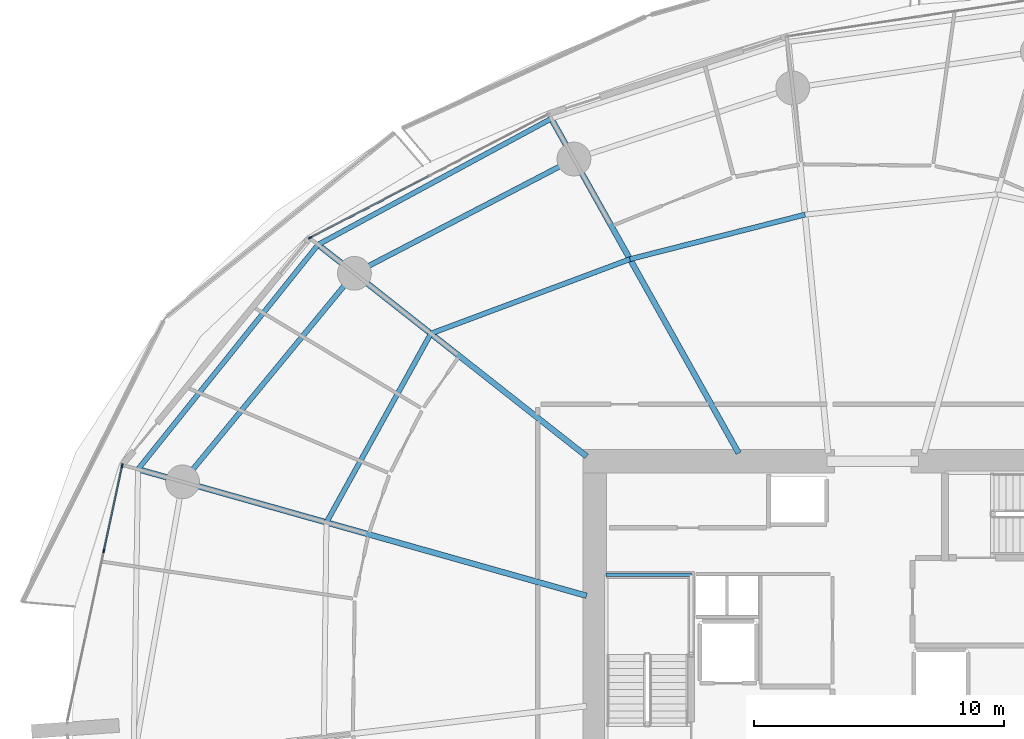
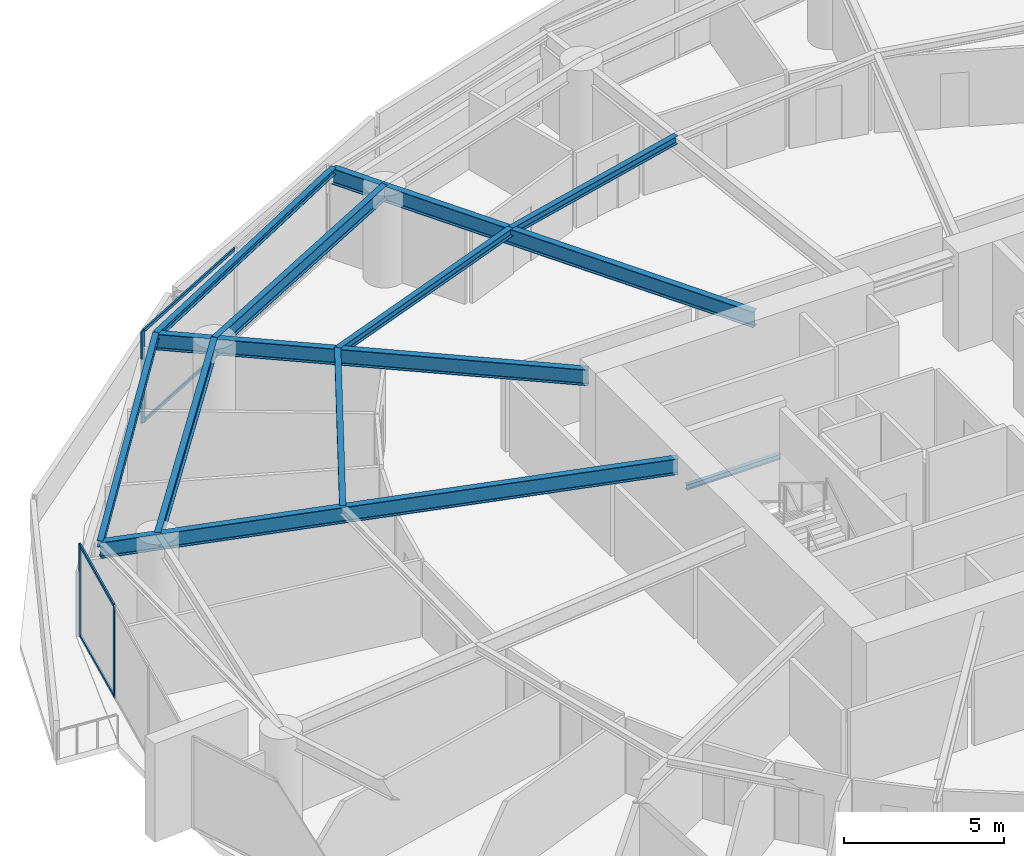
# One storey, part 12 of 31: 11 beams, 7 members, 2 elements without a shape of their own.
"""IFC4 building model written with IfcOpenShell, lengths in metres."""

from ifc_helpers import new_model, si_unit, direction, frame, origin, origin_2d, place, context, subcontext, project, spatial, rectangle, i_section, extrude, material, layer, layer_set, material_profile, profile_set, type_object, element, aggregate, save


model = new_model("IFC4")

# Units and contexts
model_context = context("Model", 3, precision=1e-05, world=origin(), true_north=direction((0.0, 1.0)))
body_context = subcontext(model_context, "Body", "Model", "MODEL_VIEW")
ifc_project = project(units=[si_unit("LENGTHUNIT", "METRE"), si_unit("AREAUNIT", "SQUARE_METRE"), si_unit("VOLUMEUNIT", "CUBIC_METRE"), si_unit("PLANEANGLEUNIT", "RADIAN"), si_unit("MASSUNIT", "GRAM", prefix="KILO")], contexts=[model_context])

# Site, building, storey
site_placement = place(None, origin())
site = spatial("IfcSite", under=ifc_project, at=site_placement, CompositionType="ELEMENT")
building_placement = place(site_placement, origin())
building = spatial("IfcBuilding", under=site, at=building_placement, Name="Kazma Halo Residences", CompositionType="ELEMENT")
storey_placement = place(building_placement, frame((0.0, 0.0, 33.89990234375)))
storey = spatial("IfcBuildingStorey", under=building, at=storey_placement, Name="L07", CompositionType="ELEMENT", Elevation=33.89990234375)

# Beams
ifc_material_1 = material(Name="Steel S355", Category="steel")
ifc_material_profile_1 = material_profile(ifc_material_1, i_section(OverallWidth=0.201904296875, OverallDepth=0.2470703125, WebThickness=0.00732421875, FlangeThickness=0.010986328125, FilletRadius=0.011962890625, at=origin_2d()), Name="W250x49.1")
ifc_profile_set_1 = profile_set([ifc_material_profile_1], Name="Steel S355")
beam_type_1 = type_object("IfcBeamType", Name="BM-BAL-CANT", PredefinedType="BEAM", material=ifc_profile_set_1)
beam_1_placement = place(storey_placement, frame((35.587646484375, 64.163818359375, 3.376708984375), z_axis=(-0.879759421466, -0.47541914175, 0.0), x_axis=(0.47541914175, -0.879759421466, 0.0)))
element("IfcBeam", 1, at=beam_1_placement, inside=storey, type_object=beam_type_1, Name="L07 wave-balcony tie beam 05", PredefinedType="BEAM", context=body_context, shape_type="SweptSolid", body=[
    extrude(i_section(OverallWidth=0.201904296875, OverallDepth=0.2470703125, WebThickness=0.00732421875, FlangeThickness=0.010986328125, FilletRadius=0.011962890625, at=origin_2d()), origin(), (0.0, 0.0, 1.0), 10.58935546875),
])
beam_2_placement = place(storey_placement, frame((26.271484375, 59.12939453125, 3.376708984375), z_axis=(-0.625476617708, -0.780242911343, 0.0), x_axis=(0.780242911343, -0.625476617708, 0.0)))
element("IfcBeam", 2, at=beam_2_placement, inside=storey, type_object=beam_type_1, Name="L07 wave-balcony tie beam 06", PredefinedType="BEAM", context=body_context, shape_type="SweptSolid", body=[
    extrude(i_section(OverallWidth=0.201904296875, OverallDepth=0.2470703125, WebThickness=0.00732421875, FlangeThickness=0.010986328125, FilletRadius=0.011962890625, at=origin_2d()), origin(), (0.0, 0.0, 1.0), 11.499755859375),
])
ifc_material_profile_2 = material_profile(ifc_material_1, i_section(OverallWidth=0.22802734375, OverallDepth=0.60791015625, WebThickness=0.01123046875, FlangeThickness=0.017333984375, FilletRadius=0.01806640625, at=origin_2d()), Name="W610x113")
ifc_profile_set_2 = profile_set([ifc_material_profile_2], Name="Steel S355")
beam_type_2 = type_object("IfcBeamType", Name="BM-RAD-W610", PredefinedType="BEAM", material=ifc_profile_set_2)
beam_3_placement = place(storey_placement, frame((43.07177734375, 50.800048828125, 3.196044921875), z_axis=(-0.488624239587, 0.872494328055, 0.0), x_axis=(-0.872494328055, -0.488624239587, 0.0)))
element("IfcBeam", 3, at=beam_3_placement, inside=storey, type_object=beam_type_2, Name="L07 radial floor beam 05", PredefinedType="BEAM", context=body_context, shape_type="SweptSolid", body=[
    extrude(i_section(OverallWidth=0.22802734375, OverallDepth=0.60791015625, WebThickness=0.01123046875, FlangeThickness=0.017333984375, FilletRadius=0.01806640625, at=origin_2d()), origin(), (0.0, 0.0, 1.0), 15.316650390625),
])
beam_4_placement = place(storey_placement, frame((37.0, 50.671630859375, 3.196044921875), z_axis=(-0.78531394447, 0.619097737536, 0.0), x_axis=(-0.619097737536, -0.78531394447, 0.0)))
element("IfcBeam", 4, at=beam_4_placement, inside=storey, type_object=beam_type_2, Name="L07 radial floor beam 06", PredefinedType="BEAM", context=body_context, shape_type="SweptSolid", body=[
    extrude(i_section(OverallWidth=0.22802734375, OverallDepth=0.60791015625, WebThickness=0.01123046875, FlangeThickness=0.017333984375, FilletRadius=0.01806640625, at=origin_2d()), origin(), (0.0, 0.0, 1.0), 13.661376953125),
])
beam_5_placement = place(storey_placement, frame((37.0, 45.102294921875, 3.196044921875), z_axis=(-0.962453979784, 0.271444905641, 0.0), x_axis=(-0.271444905641, -0.962453979784, 0.0)))
element("IfcBeam", 5, at=beam_5_placement, inside=storey, type_object=beam_type_2, Name="L07 radial floor beam 07", PredefinedType="BEAM", context=body_context, shape_type="SweptSolid", body=[
    extrude(i_section(OverallWidth=0.22802734375, OverallDepth=0.60791015625, WebThickness=0.01123046875, FlangeThickness=0.017333984375, FilletRadius=0.01806640625, at=origin_2d()), origin(), (0.0, 0.0, 1.0), 18.62060546875),
])
ifc_material_profile_3 = material_profile(ifc_material_1, i_section(OverallWidth=0.202880859375, OverallDepth=0.302978515625, WebThickness=0.007568359375, FlangeThickness=0.01318359375, FilletRadius=0.013916015625, at=origin_2d()), Name="W310x60")
ifc_profile_set_3 = profile_set([ifc_material_profile_3], Name="Steel S355")
beam_type_3 = type_object("IfcBeamType", Name="BM-SEC-W310A", PredefinedType="JOIST", material=ifc_profile_set_3)
beam_6_placement = place(storey_placement, frame((45.7236328125, 60.329833984375, 3.3486328125), z_axis=(-0.969127021388, -0.246561993047, 0.0), x_axis=(0.246561993047, -0.969127021388, 0.0)))
element("IfcBeam", 6, at=beam_6_placement, inside=storey, type_object=beam_type_3, Name="L07 circumferential floor joist 04", PredefinedType="JOIST", context=body_context, shape_type="SweptSolid", body=[
    extrude(i_section(OverallWidth=0.202880859375, OverallDepth=0.302978515625, WebThickness=0.007568359375, FlangeThickness=0.01318359375, FilletRadius=0.013916015625, at=origin_2d()), origin(), (0.0, 0.0, 1.0), 7.21533203125),
])
beam_7_placement = place(storey_placement, frame((38.73095703125, 58.55078125, 3.3486328125), z_axis=(-0.936676104069, -0.350196910417, 0.0), x_axis=(0.350196910417, -0.936676104069, 0.0)))
element("IfcBeam", 7, at=beam_7_placement, inside=storey, type_object=beam_type_3, Name="L07 circumferential floor joist 05", PredefinedType="JOIST", context=body_context, shape_type="SweptSolid", body=[
    extrude(i_section(OverallWidth=0.202880859375, OverallDepth=0.302978515625, WebThickness=0.007568359375, FlangeThickness=0.01318359375, FilletRadius=0.013916015625, at=origin_2d()), origin(), (0.0, 0.0, 1.0), 8.4912109375),
])
beam_8_placement = place(storey_placement, frame((30.77734375, 55.5771484375, 3.3486328125), z_axis=(-0.483953872195, -0.875093509054, 0.0), x_axis=(0.875093509054, -0.483953872195, 0.0)))
element("IfcBeam", 8, at=beam_8_placement, inside=storey, type_object=beam_type_3, Name="L07 circumferential floor joist 06", PredefinedType="JOIST", context=body_context, shape_type="SweptSolid", body=[
    extrude(i_section(OverallWidth=0.202880859375, OverallDepth=0.302978515625, WebThickness=0.007568359375, FlangeThickness=0.01318359375, FilletRadius=0.013916015625, at=origin_2d()), origin(), (0.0, 0.0, 1.0), 8.619873046875),
])
ifc_material_profile_4 = material_profile(ifc_material_1, i_section(OverallWidth=0.208984375, OverallDepth=0.532958984375, WebThickness=0.01025390625, FlangeThickness=0.015625, FilletRadius=0.01611328125, at=origin_2d()), Name="W530x92")
ifc_profile_set_4 = profile_set([ifc_material_profile_4], Name="Steel S355")
beam_type_4 = type_object("IfcBeamType", Name="BM-SPN-W530", PredefinedType="BEAM", material=ifc_profile_set_4)
beam_9_placement = place(storey_placement, frame((36.49169921875, 62.549560546875, 3.233642578125), z_axis=(-0.886956241699, -0.461853467358, 0.0), x_axis=(0.461853467358, -0.886956241699, 0.0)))
element("IfcBeam", 9, at=beam_9_placement, inside=storey, type_object=beam_type_4, Name="L07 perimeter ring beam 05", PredefinedType="BEAM", context=body_context, shape_type="SweptSolid", body=[
    extrude(i_section(OverallWidth=0.208984375, OverallDepth=0.532958984375, WebThickness=0.01025390625, FlangeThickness=0.015625, FilletRadius=0.01611328125, at=origin_2d()), origin(), (0.0, 0.0, 1.0), 9.885009765625),
])
beam_10_placement = place(storey_placement, frame((27.72412109375, 57.984130859375, 3.233642578125), z_axis=(-0.636001336663, -0.771687954916, 0.0), x_axis=(0.771687954916, -0.636001336663, 0.0)))
element("IfcBeam", 10, at=beam_10_placement, inside=storey, type_object=beam_type_4, Name="L07 perimeter ring beam 06", PredefinedType="BEAM", context=body_context, shape_type="SweptSolid", body=[
    extrude(i_section(OverallWidth=0.208984375, OverallDepth=0.532958984375, WebThickness=0.01025390625, FlangeThickness=0.015625, FilletRadius=0.01611328125, at=origin_2d()), origin(), (0.0, 0.0, 1.0), 10.7939453125),
])
ifc_material_profile_5 = material_profile(ifc_material_1, i_section(OverallWidth=0.133056640625, OverallDepth=0.20703125, WebThickness=0.005859375, FlangeThickness=0.00830078125, FilletRadius=0.010009765625, at=origin_2d()), Name="W200x26.6")
ifc_profile_set_5 = profile_set([ifc_material_profile_5], Name="Steel S355")
beam_type_5 = type_object("IfcBeamType", Name="BM-TRIM-W200", PredefinedType="BEAM", material=ifc_profile_set_5)
beam_11_placement = place(storey_placement, frame((37.780029296875, 45.93994140625, 1.570068359375), z_axis=(1.0, 0.0, 0.0), x_axis=(0.0, 1.0, 0.0)))
element("IfcBeam", 11, at=beam_11_placement, inside=storey, type_object=beam_type_5, Name="L07 ST-01 landing end wall ledger", PredefinedType="BEAM", context=body_context, shape_type="SweptSolid", body=[
    extrude(i_section(OverallWidth=0.133056640625, OverallDepth=0.20703125, WebThickness=0.005859375, FlangeThickness=0.00830078125, FilletRadius=0.010009765625, at=origin_2d()), origin(), (0.0, 0.0, 1.0), 3.39990234375),
])

# Curtain wall, member
ifc_material_2 = material(Name="Aluminium AW-6063 T6 and Triple-Silver Low-E Glass", Category="aluminium")
ifc_layer = layer(ifc_material_2, 0.159912109375)
ifc_layer_set = layer_set([ifc_layer], Name="Aluminium AW-6063 T6 and Triple-Silver Low-E Glass")
curtain_wall_type = type_object("IfcCurtainWallType", Name="CW-SYS-2", PredefinedType="NOTDEFINED", material=ifc_layer_set)
curtain_wall_1_placement = place(storey_placement, origin())
curtain_wall_1 = element("IfcCurtainWall", 12, at=curtain_wall_1_placement, inside=storey, type_object=curtain_wall_type, Name="L07 unitised curtain wall B05", PredefinedType="NOTDEFINED")
ifc_material_3 = material(Name="Aluminium AW-6063 T6", Category="aluminium")
ifc_material_profile_6 = material_profile(ifc_material_3, rectangle(XDim=0.06005859375, YDim=0.159912109375, at=origin_2d()), Name="CWM-60x160")
ifc_profile_set_6 = profile_set([ifc_material_profile_6], Name="Aluminium AW-6063 T6")
member_type_1 = type_object("IfcMemberType", Name="CW-SYS-2-MUL", PredefinedType="MULLION", material=ifc_profile_set_6)
member_1_placement = place(storey_placement, frame((25.96142578125, 59.408447265625, 0.0), z_axis=(0.0, 0.0, 1.0), x_axis=(0.460995912628, -0.887402258584, 0.0)))
member_1 = element("IfcMember", 13, at=member_1_placement, type_object=member_type_1, Name="CWS-2 mullion 3", PredefinedType="MULLION", context=body_context, shape_type="SweptSolid", body=[
    extrude(rectangle(XDim=0.06005859375, YDim=0.159912109375, at=origin_2d()), origin(), (0.0, 0.0, 1.0), 3.5),
])

# Curtain wall, members
curtain_wall_2_placement = place(storey_placement, origin())
curtain_wall_2 = element("IfcCurtainWall", 14, at=curtain_wall_2_placement, inside=storey, type_object=curtain_wall_type, Name="L07 unitised curtain wall B07", PredefinedType="NOTDEFINED")
member_2_placement = place(storey_placement, frame((18.447021484375, 50.3037109375, 0.0), z_axis=(0.0, 0.0, 1.0), x_axis=(0.977779215096, -0.209637321406, 0.0)))
member_2 = element("IfcMember", 15, at=member_2_placement, type_object=member_type_1, Name="CWS-2 mullion 1", PredefinedType="MULLION", context=body_context, shape_type="SweptSolid", body=[
    extrude(rectangle(XDim=0.06005859375, YDim=0.159912109375, at=origin_2d()), origin(), (0.0, 0.0, 1.0), 3.5),
])
member_3_placement = place(storey_placement, frame((17.717041015625, 46.898681640625, 0.0), z_axis=(0.0, 0.0, 1.0), x_axis=(0.977779215096, -0.209637321406, 0.0)))
member_3 = element("IfcMember", 16, at=member_3_placement, type_object=member_type_1, Name="CWS-2 mullion 2", PredefinedType="MULLION", context=body_context, shape_type="SweptSolid", body=[
    extrude(rectangle(XDim=0.06005859375, YDim=0.159912109375, at=origin_2d()), origin(), (0.0, 0.0, 1.0), 3.5),
])

# Member
ifc_material_profile_7 = material_profile(ifc_material_3, rectangle(XDim=0.06005859375, YDim=0.1201171875, at=origin_2d()), Name="CWT-60x120")
ifc_profile_set_7 = profile_set([ifc_material_profile_7], Name="Aluminium AW-6063 T6")
member_type_2 = type_object("IfcMemberType", Name="CW-SYS-2-TRN", PredefinedType="USERDEFINED", material=ifc_profile_set_7)
member_4_placement = place(storey_placement, frame((30.681396484375, 61.8603515625, 0.030029296875), z_axis=(-0.887414738583, -0.460971888238, 0.0), x_axis=(0.460971888238, -0.887414738583, 0.0)))
member_4 = element("IfcMember", 17, at=member_4_placement, type_object=member_type_2, Name="CWS-2 transom 2.1", ObjectType="TRANSOM", PredefinedType="USERDEFINED", context=body_context, shape_type="SweptSolid", body=[
    extrude(rectangle(XDim=0.06005859375, YDim=0.1201171875, at=origin_2d()), origin(), (0.0, 0.0, 1.0), 5.288818359375),
])

member_5_placement = place(storey_placement, frame((30.681396484375, 61.8603515625, 3.47021484375), z_axis=(-0.887414738583, -0.460971888238, 0.0), x_axis=(0.460971888238, -0.887414738583, 0.0)))
member_5 = element("IfcMember", 18, at=member_5_placement, type_object=member_type_2, Name="CWS-2 transom 2.2", ObjectType="TRANSOM", PredefinedType="USERDEFINED", context=body_context, shape_type="SweptSolid", body=[
    extrude(rectangle(XDim=0.06005859375, YDim=0.1201171875, at=origin_2d()), origin(), (0.0, 0.0, 1.0), 5.288818359375),
])

aggregate(curtain_wall_1, [member_1, member_4, member_5])

member_6_placement = place(storey_placement, frame((18.440673828125, 50.2744140625, 0.030029296875), z_axis=(-0.209650877007, -0.977776308657, 0.0), x_axis=(0.977776308657, -0.209650877007, 0.0)))
member_6 = element("IfcMember", 19, at=member_6_placement, type_object=member_type_2, Name="CWS-2 transom 1.1", ObjectType="TRANSOM", PredefinedType="USERDEFINED", context=body_context, shape_type="SweptSolid", body=[
    extrude(rectangle(XDim=0.06005859375, YDim=0.1201171875, at=origin_2d()), origin(), (0.0, 0.0, 1.0), 3.422607421875),
])

member_7_placement = place(storey_placement, frame((18.440673828125, 50.2744140625, 3.47021484375), z_axis=(-0.209650877007, -0.977776308657, 0.0), x_axis=(0.977776308657, -0.209650877007, 0.0)))
member_7 = element("IfcMember", 20, at=member_7_placement, type_object=member_type_2, Name="CWS-2 transom 1.2", ObjectType="TRANSOM", PredefinedType="USERDEFINED", context=body_context, shape_type="SweptSolid", body=[
    extrude(rectangle(XDim=0.06005859375, YDim=0.1201171875, at=origin_2d()), origin(), (0.0, 0.0, 1.0), 3.422607421875),
])

aggregate(curtain_wall_2, [member_2, member_3, member_6, member_7])

save(model, "model.ifc")
